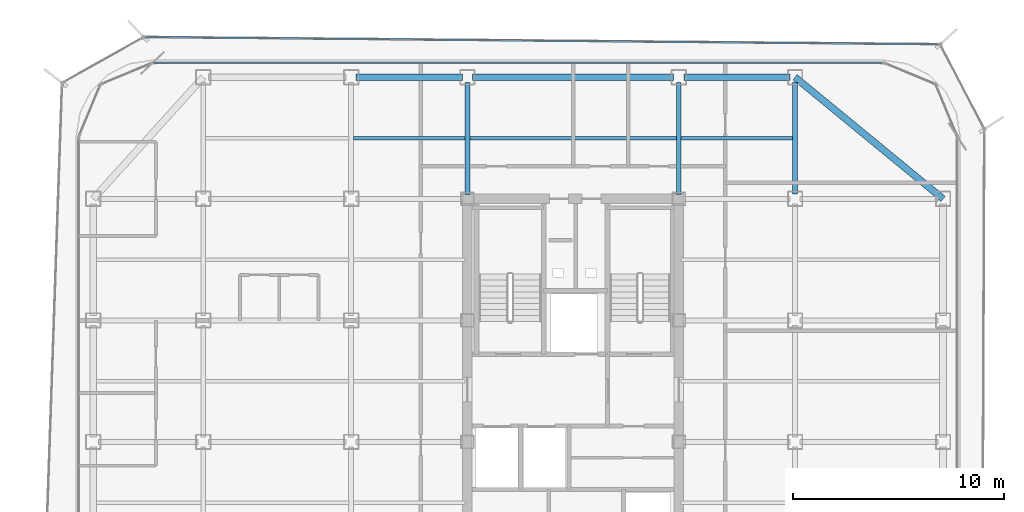
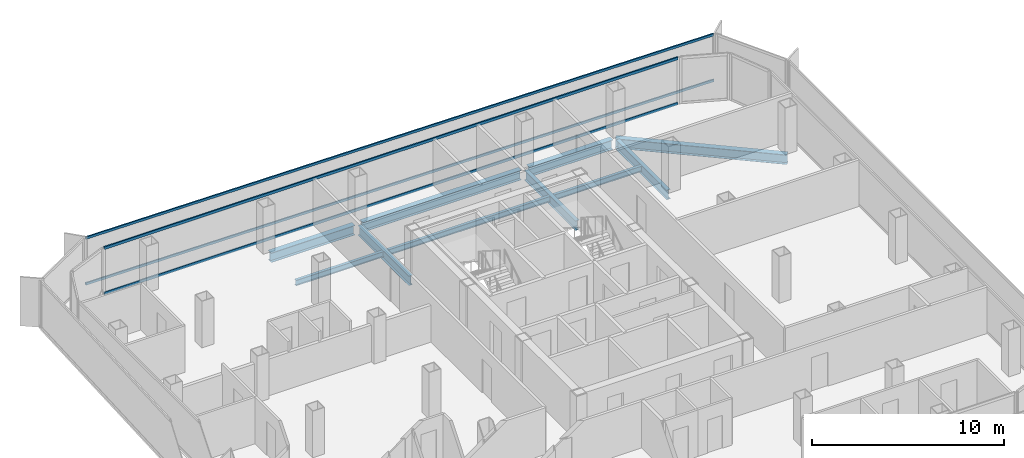
# One storey, part 7 of 15: 10 beams, 4 members, 2 elements without a shape of their own.
"""IFC4 building model written with IfcOpenShell, lengths in metres."""

from ifc_helpers import new_model, si_unit, direction, frame, origin, origin_2d, place, context, subcontext, project, spatial, hollow_rectangle, i_section, extrude, source, transform, mapped, material, layer, layer_set, material_profile, profile_set, type_object, element, aggregate, save


model = new_model("IFC4")

# Units and contexts
model_context = context("Model", 3, precision=1e-05, world=origin(), true_north=direction((0.0, 1.0)))
body_context = subcontext(model_context, "Body", "Model", "MODEL_VIEW")
ifc_project = project(units=[si_unit("LENGTHUNIT", "METRE"), si_unit("AREAUNIT", "SQUARE_METRE"), si_unit("VOLUMEUNIT", "CUBIC_METRE"), si_unit("PLANEANGLEUNIT", "RADIAN"), si_unit("MASSUNIT", "GRAM", prefix="KILO")], contexts=[model_context])

# Site, building, storey
site_placement = place(None, origin())
site = spatial("IfcSite", under=ifc_project, at=site_placement, CompositionType="ELEMENT")
building_placement = place(site_placement, origin())
building = spatial("IfcBuilding", under=site, at=building_placement, Name="Kolveth Station Tower", CompositionType="ELEMENT")
storey_placement = place(building_placement, frame((0.0, 0.0, 181.699951171875)))
storey = spatial("IfcBuildingStorey", under=building, at=storey_placement, Name="L51", CompositionType="ELEMENT", Elevation=181.699951171875)

# Beams
ifc_material_1 = material(Name="Steel S355", Category="steel")
ifc_material_profile_1 = material_profile(ifc_material_1, i_section(OverallWidth=0.323974609375, OverallDepth=0.611083984375, WebThickness=0.0126953125, FlangeThickness=0.01904296875, at=origin_2d()), Name="W610x155")
ifc_profile_set_1 = profile_set([ifc_material_profile_1], Name="Steel S355")
beam_type_1 = type_object("IfcBeamType", Name="Beam_SP2", PredefinedType="SPANDREL", material=ifc_profile_set_1)
shared_shape_1 = source(origin(), body_context, "Body", "SweptSolid", [
    extrude(i_section(OverallWidth=0.323974609375, OverallDepth=0.611083984375, WebThickness=0.0126953125, FlangeThickness=0.01904296875, at=origin_2d()), origin(), (0.0, 0.0, 1.0), 5.02001953125),
])
for number, where, z_axis, x_axis, name in (
    (1, (13.239990234375, 34.5, -0.555419921875), (1.0, 0.0, 0.0), (0.0, 1.0, 0.0), "L51 Perimeter Spandrel BM-L51-PN-2"),
    (2, (28.739990234375, 34.5, -0.555419921875), (1.0, 0.0, 0.0), (0.0, 1.0, 0.0), "L51 Perimeter Spandrel BM-L51-PN-4"),
):
    element("IfcBeam", number, at=place(storey_placement, frame(where, z_axis=z_axis, x_axis=x_axis)), inside=storey, type_object=beam_type_1, Name=name, PredefinedType="SPANDREL", context=body_context, shape_type="MappedRepresentation", body=[
        mapped(shared_shape_1, transform((0.0, 0.0, 0.0), x_axis=(1.0, 0.0, 0.0), y_axis=(0.0, 1.0, 0.0), z_axis=(0.0, 0.0, 1.0), scale=1.0)),
    ])
shared_shape_2 = source(origin(), body_context, "Body", "SweptSolid", [
    extrude(i_section(OverallWidth=0.323974609375, OverallDepth=0.611083984375, WebThickness=0.0126953125, FlangeThickness=0.01904296875, at=origin_2d()), origin(), (0.0, 0.0, 1.0), 9.52001953125),
])
beam_1_placement = place(storey_placement, frame((18.739990234375, 34.5, -0.555419921875), z_axis=(1.0, 0.0, 0.0), x_axis=(0.0, 1.0, 0.0)))
element("IfcBeam", 3, at=beam_1_placement, inside=storey, type_object=beam_type_1, Name="L51 Perimeter Spandrel BM-L51-PN-3", PredefinedType="SPANDREL", context=body_context, shape_type="MappedRepresentation", body=[
    mapped(shared_shape_2, transform((0.0, 0.0, 0.0), x_axis=(1.0, 0.0, 0.0), y_axis=(0.0, 1.0, 0.0), z_axis=(0.0, 0.0, 1.0), scale=1.0)),
])
shared_shape_3 = source(origin(), body_context, "Body", "SweptSolid", [
    extrude(i_section(OverallWidth=0.323974609375, OverallDepth=0.611083984375, WebThickness=0.0126953125, FlangeThickness=0.01904296875, at=origin_2d()), origin(), (0.0, 0.0, 1.0), 9.058837890625),
])
beam_2_placement = place(storey_placement, frame((41.0, 28.75, -0.555419921875), z_axis=(-0.772726254525, 0.63473942336, 0.0), x_axis=(-0.63473942336, -0.772726254525, 0.0)))
element("IfcBeam", 4, at=beam_2_placement, inside=storey, type_object=beam_type_1, Name="L51 Corner Edge Girder BM-L51-CNR-NE", PredefinedType="SPANDREL", context=body_context, shape_type="MappedRepresentation", body=[
    mapped(shared_shape_3, transform((0.0, 0.0, 0.0), x_axis=(1.0, 0.0, 0.0), y_axis=(0.0, 1.0, 0.0), z_axis=(0.0, 0.0, 1.0), scale=1.0)),
])
ifc_material_profile_2 = material_profile(ifc_material_1, i_section(OverallWidth=0.22900390625, OverallDepth=0.612060546875, WebThickness=0.011962890625, FlangeThickness=0.01953125, at=origin_2d()), Name="W610x125")
ifc_profile_set_2 = profile_set([ifc_material_profile_2], Name="Steel S355")
beam_type_2 = type_object("IfcBeamType", Name="Beam_B5", PredefinedType="BEAM", material=ifc_profile_set_2)
shared_shape_4 = source(origin(), body_context, "Body", "SweptSolid", [
    extrude(i_section(OverallWidth=0.22900390625, OverallDepth=0.612060546875, WebThickness=0.011962890625, FlangeThickness=0.01953125, at=origin_2d()), origin(), (0.0, 0.0, 1.0), 5.27001953125),
])
beam_3_placement = place(storey_placement, frame((34.0, 28.989990234375, -0.555908203125), z_axis=(0.0, 1.0, 0.0), x_axis=(-1.0, 0.0, 0.0)))
element("IfcBeam", 5, at=beam_3_placement, inside=storey, type_object=beam_type_2, Name="L51 Primary Girder BM-L51-GX340-6", PredefinedType="BEAM", context=body_context, shape_type="MappedRepresentation", body=[
    mapped(shared_shape_4, transform((0.0, 0.0, 0.0), x_axis=(1.0, 0.0, 0.0), y_axis=(0.0, 1.0, 0.0), z_axis=(0.0, 0.0, 1.0), scale=1.0)),
])
shared_shape_5 = source(origin(), body_context, "Body", "SweptSolid", [
    extrude(i_section(OverallWidth=0.22900390625, OverallDepth=0.612060546875, WebThickness=0.011962890625, FlangeThickness=0.01953125, at=origin_2d()), origin(), (0.0, 0.0, 1.0), 5.31005859375),
])
for number, where, z_axis, x_axis, name in (
    (6, (18.5, 28.949951171875, -0.555908203125), (0.0, 1.0, 0.0), (-1.0, 0.0, 0.0), "L51 Primary Girder BM-L51-GX185-6"),
    (7, (28.5, 28.949951171875, -0.555908203125), (0.0, 1.0, 0.0), (-1.0, 0.0, 0.0), "L51 Primary Girder BM-L51-GX285-6"),
):
    element("IfcBeam", number, at=place(storey_placement, frame(where, z_axis=z_axis, x_axis=x_axis)), inside=storey, type_object=beam_type_2, Name=name, PredefinedType="BEAM", context=body_context, shape_type="MappedRepresentation", body=[
        mapped(shared_shape_5, transform((0.0, 0.0, 0.0), x_axis=(1.0, 0.0, 0.0), y_axis=(0.0, 1.0, 0.0), z_axis=(0.0, 0.0, 1.0), scale=1.0)),
    ])
ifc_material_profile_3 = material_profile(ifc_material_1, i_section(OverallWidth=0.1708984375, OverallDepth=0.35205078125, WebThickness=0.0068359375, FlangeThickness=0.009765625, at=origin_2d()), Name="W360x44")
ifc_profile_set_3 = profile_set([ifc_material_profile_3], Name="Steel S355")
beam_type_3 = type_object("IfcBeamType", Name="Beam_J2", PredefinedType="JOIST", material=ifc_profile_set_3)
shared_shape_6 = source(origin(), body_context, "Body", "SweptSolid", [
    extrude(i_section(OverallWidth=0.1708984375, OverallDepth=0.35205078125, WebThickness=0.0068359375, FlangeThickness=0.009765625, at=origin_2d()), origin(), (0.0, 0.0, 1.0), 5.27490234375),
])
for number, where, z_axis, x_axis, name in (
    (8, (13.112548828125, 31.625, -0.426025390625), (1.0, 0.0, 0.0), (0.0, 1.0, 0.0), "L51 Secondary Joist JST-L51-3-6"),
    (9, (28.612548828125, 31.625, -0.426025390625), (1.0, 0.0, 0.0), (0.0, 1.0, 0.0), "L51 Secondary Joist JST-L51-5-6"),
):
    element("IfcBeam", number, at=place(storey_placement, frame(where, z_axis=z_axis, x_axis=x_axis)), inside=storey, type_object=beam_type_3, Name=name, PredefinedType="JOIST", context=body_context, shape_type="MappedRepresentation", body=[
        mapped(shared_shape_6, transform((0.0, 0.0, 0.0), x_axis=(1.0, 0.0, 0.0), y_axis=(0.0, 1.0, 0.0), z_axis=(0.0, 0.0, 1.0), scale=1.0)),
    ])
shared_shape_7 = source(origin(), body_context, "Body", "SweptSolid", [
    extrude(i_section(OverallWidth=0.1708984375, OverallDepth=0.35205078125, WebThickness=0.0068359375, FlangeThickness=0.009765625, at=origin_2d()), origin(), (0.0, 0.0, 1.0), 9.77490234375),
])
beam_4_placement = place(storey_placement, frame((18.612548828125, 31.625, -0.426025390625), z_axis=(1.0, 0.0, 0.0), x_axis=(0.0, 1.0, 0.0)))
element("IfcBeam", 10, at=beam_4_placement, inside=storey, type_object=beam_type_3, Name="L51 Secondary Joist JST-L51-4-6", PredefinedType="JOIST", context=body_context, shape_type="MappedRepresentation", body=[
    mapped(shared_shape_7, transform((0.0, 0.0, 0.0), x_axis=(1.0, 0.0, 0.0), y_axis=(0.0, 1.0, 0.0), z_axis=(0.0, 0.0, 1.0), scale=1.0)),
])

# Curtain wall, members
ifc_material_2 = material(Name="Aluminium 6063-T6 and low-E dark glass", Category="aluminium")
ifc_layer_1 = layer(ifc_material_2, 0.18994140625)
ifc_layer_set_1 = layer_set([ifc_layer_1], Name="Aluminium 6063-T6 and low-E dark glass")
curtain_wall_type_1 = type_object("IfcCurtainWallType", Name="CurtainWall_CW-Z2", PredefinedType="NOTDEFINED", material=ifc_layer_set_1)
curtain_wall_1_placement = place(storey_placement, origin())
curtain_wall_1 = element("IfcCurtainWall", 11, at=curtain_wall_1_placement, inside=storey, type_object=curtain_wall_type_1, Name="L51 Inner Thermal Curtain Wall 6", PredefinedType="NOTDEFINED")
ifc_material_3 = material(Name="Black anodized aluminium 6063-T6", Category="aluminium")
ifc_material_profile_4 = material_profile(ifc_material_3, hollow_rectangle(XDim=0.080078125, YDim=0.169921875, WallThickness=0.0048828125, at=origin_2d()), Name="ALU-80x170x5")
ifc_profile_set_4 = profile_set([ifc_material_profile_4], Name="Black anodized aluminium 6063-T6")
member_type_1 = type_object("IfcMemberType", Name="Transom_TR2", PredefinedType="USERDEFINED", material=ifc_profile_set_4)
shared_shape_8 = source(origin(), body_context, "Body", "SweptSolid", [
    extrude(hollow_rectangle(XDim=0.080078125, YDim=0.169921875, WallThickness=0.0048828125, at=origin_2d()), origin(), (0.0, 0.0, 1.0), 34.440185546875),
])
member_1_placement = place(storey_placement, frame((38.1201171875, 35.179931640625, 0.0400390625), z_axis=(-1.0, 0.0, 0.0), x_axis=(0.0, -1.0, 0.0)))
member_1 = element("IfcMember", 12, at=member_1_placement, type_object=member_type_1, Name="CW-Z2 transom 1.1", ObjectType="TRANSOM", PredefinedType="USERDEFINED", context=body_context, shape_type="MappedRepresentation", body=[
    mapped(shared_shape_8, transform((0.0, 0.0, 0.0), x_axis=(1.0, 0.0, 0.0), y_axis=(0.0, 1.0, 0.0), z_axis=(0.0, 0.0, 1.0), scale=1.0)),
])
member_2_placement = place(storey_placement, frame((38.1201171875, 35.179931640625, 2.91015625), z_axis=(-1.0, 0.0, 0.0), x_axis=(0.0, -1.0, 0.0)))
member_2 = element("IfcMember", 13, at=member_2_placement, type_object=member_type_1, Name="CW-Z2 transom 1.2", ObjectType="TRANSOM", PredefinedType="USERDEFINED", context=body_context, shape_type="MappedRepresentation", body=[
    mapped(shared_shape_8, transform((0.0, 0.0, 0.0), x_axis=(1.0, 0.0, 0.0), y_axis=(0.0, 1.0, 0.0), z_axis=(0.0, 0.0, 1.0), scale=1.0)),
])
aggregate(curtain_wall_1, [member_1, member_2])

ifc_material_4 = material(Name="Black anodized aluminium 6063-T6 and dark solar glass", Category="aluminium")
ifc_layer_2 = layer(ifc_material_4, 0.159912109375)
ifc_layer_set_2 = layer_set([ifc_layer_2], Name="Black anodized aluminium 6063-T6 and dark solar glass")
curtain_wall_type_2 = type_object("IfcCurtainWallType", Name="OUTER SKIN CW-OS", PredefinedType="NOTDEFINED", material=ifc_layer_set_2)
curtain_wall_2_placement = place(storey_placement, origin())
curtain_wall_2 = element("IfcCurtainWall", 14, at=curtain_wall_2_placement, inside=storey, type_object=curtain_wall_type_2, Name="L51 Outer Ventilated Skin Curtain Wall 4", PredefinedType="NOTDEFINED")
ifc_material_profile_5 = material_profile(ifc_material_3, hollow_rectangle(XDim=0.080078125, YDim=0.14990234375, WallThickness=0.0048828125, at=origin_2d()), Name="ALU-80x150x5")
ifc_profile_set_5 = profile_set([ifc_material_profile_5], Name="Black anodized aluminium 6063-T6")
member_type_2 = type_object("IfcMemberType", Name="Transom_TR-OS", PredefinedType="USERDEFINED", material=ifc_profile_set_5)
shared_shape_9 = source(origin(), body_context, "Body", "SweptSolid", [
    extrude(hollow_rectangle(XDim=0.080078125, YDim=0.14990234375, WallThickness=0.0048828125, at=origin_2d()), origin(), (0.0, 0.0, 1.0), 37.501708984375),
])
member_3_placement = place(storey_placement, frame((40.77978515625, 36.05712890625, 0.0400390625), z_axis=(-0.999958820541, 0.009075088026, 0.0), x_axis=(-0.009075088026, -0.999958820541, 0.0)))
member_3 = element("IfcMember", 15, at=member_3_placement, type_object=member_type_2, Name="CW-OS transom 1.1", ObjectType="TRANSOM", PredefinedType="USERDEFINED", context=body_context, shape_type="MappedRepresentation", body=[
    mapped(shared_shape_9, transform((0.0, 0.0, 0.0), x_axis=(1.0, 0.0, 0.0), y_axis=(0.0, 1.0, 0.0), z_axis=(0.0, 0.0, 1.0), scale=1.0)),
])
member_4_placement = place(storey_placement, frame((40.77978515625, 36.05712890625, 2.949951171875), z_axis=(-0.999958820541, 0.009075088026, 0.0), x_axis=(-0.009075088026, -0.999958820541, 0.0)))
member_4 = element("IfcMember", 16, at=member_4_placement, type_object=member_type_2, Name="CW-OS transom 1.2", ObjectType="TRANSOM", PredefinedType="USERDEFINED", context=body_context, shape_type="MappedRepresentation", body=[
    mapped(shared_shape_9, transform((0.0, 0.0, 0.0), x_axis=(1.0, 0.0, 0.0), y_axis=(0.0, 1.0, 0.0), z_axis=(0.0, 0.0, 1.0), scale=1.0)),
])
aggregate(curtain_wall_2, [member_3, member_4])

save(model, "model.ifc")
